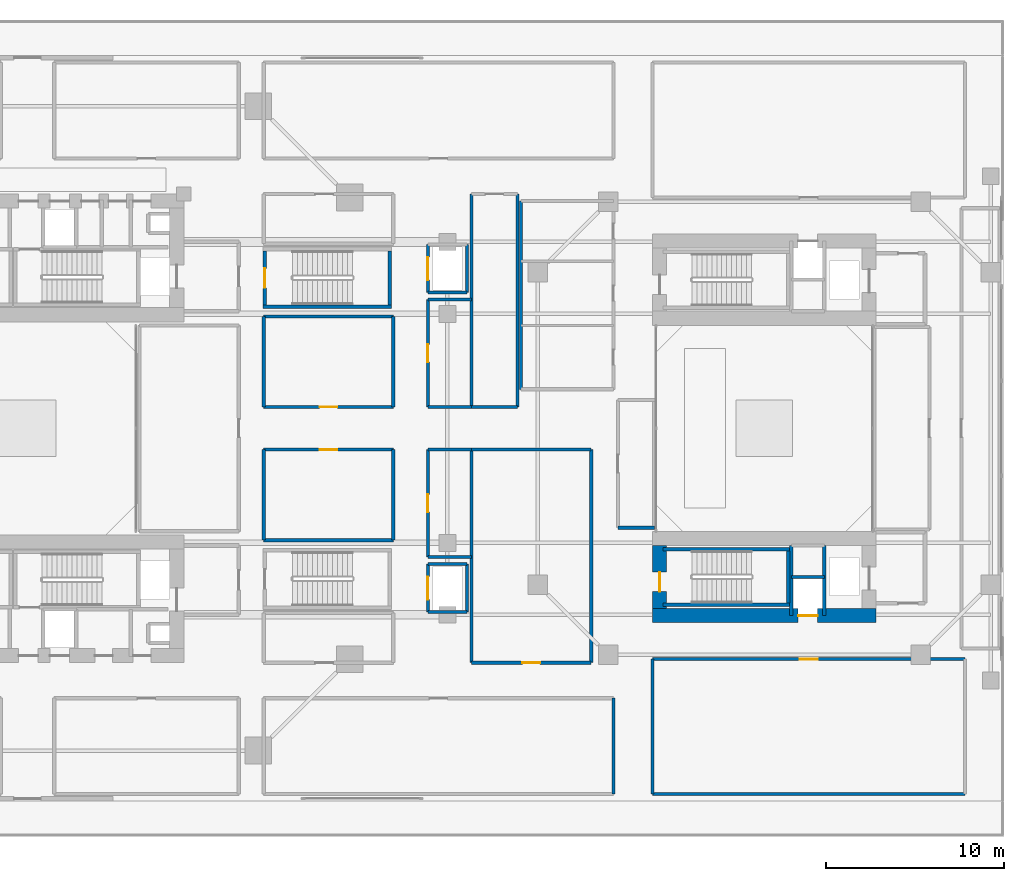
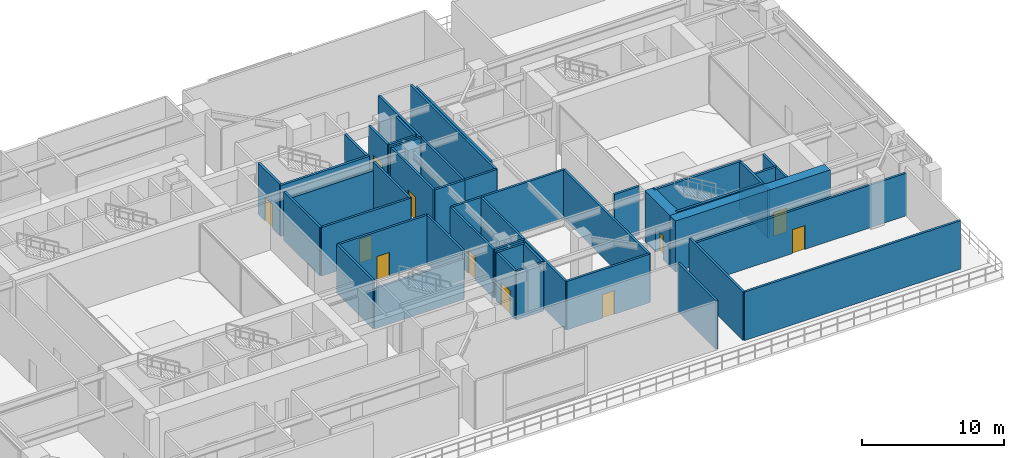
# One storey, part 12 of 19: 45 walls, 11 doors, 11 openings.
"""IFC4 building model written with IfcOpenShell, lengths in metres."""

from ifc_helpers import new_model, si_unit, direction, frame, frame_2d, origin, place, context, subcontext, project, spatial, rectangle, extrude, source, transform, mapped, material, layer, layer_set, type_object, element, fill, save


model = new_model("IFC4")

# Units and contexts
model_context = context("Model", 3, precision=1e-05, world=origin(), true_north=direction((0.0, 1.0)))
body_context = subcontext(model_context, "Body", "Model", "MODEL_VIEW")
ifc_project = project(units=[si_unit("LENGTHUNIT", "METRE"), si_unit("AREAUNIT", "SQUARE_METRE"), si_unit("VOLUMEUNIT", "CUBIC_METRE"), si_unit("PLANEANGLEUNIT", "RADIAN"), si_unit("MASSUNIT", "GRAM", prefix="KILO"), si_unit("THERMODYNAMICTEMPERATUREUNIT", "KELVIN"), si_unit("POWERUNIT", "WATT")], contexts=[model_context])

# Site, building, storey
site_placement = place(None, origin())
site = spatial("IfcSite", under=ifc_project, at=site_placement, CompositionType="ELEMENT")
building_placement = place(site_placement, origin())
building = spatial("IfcBuilding", under=site, at=building_placement, Name="Qiaomeng Ring Towers", CompositionType="ELEMENT")
storey_placement = place(building_placement, frame((0.0, 0.0, 5.0)))
storey = spatial("IfcBuildingStorey", under=building, at=storey_placement, Name="L01", CompositionType="ELEMENT", Elevation=5.0)

# Wall
ifc_material_1 = material(Name="Autoclaved aerated concrete block", Category="concrete")
ifc_layer_1 = layer(ifc_material_1, 0.179931640625, Name="Autoclaved aerated concrete block")
ifc_layer_set_1 = layer_set([ifc_layer_1], Name="Autoclaved aerated concrete block")
wall_type_1 = type_object("IfcWallType", Name="ARC-WL-PW2", PredefinedType="PARTITIONING", material=ifc_layer_set_1)
wall_1_placement = place(storey_placement, frame((46.800048828125, 25.199951171875, 0.0), z_axis=(0.0, 0.0, 1.0), x_axis=(0.0, 1.0, 0.0)))
element("IfcWall", 1, at=wall_1_placement, inside=storey, type_object=wall_type_1, Name="L01 Interior Wall PW2", PredefinedType="PARTITIONING", context=body_context, shape_type="SweptSolid", body=[
    extrude(rectangle(XDim=10.60009765625, YDim=0.179931640625, at=frame_2d((5.300048828125, 0.0))), origin(), (0.0, 0.0, 1.0), 4.179931640625),
])

# Wall, opening, door
wall_2_placement = place(storey_placement, frame((32.300048828125, 24.199951171875, 0.0), z_axis=(0.0, 0.0, 1.0), x_axis=(1.0, 0.0, 0.0)))
wall_2 = element("IfcWall", 2, at=wall_2_placement, inside=storey, type_object=wall_type_1, Name="L01 Interior Wall PW2", PredefinedType="PARTITIONING", context=body_context, shape_type="SweptSolid", body=[
    extrude(rectangle(XDim=7.300048828125, YDim=0.179931640625, at=frame_2d((3.64990234375, 0.0))), origin(), (0.0, 0.0, 1.0), 4.179931640625),
])
opening_1_placement = place(wall_2_placement, frame((3.14990234375, 0.0, 0.0)))
opening_1 = element("IfcOpeningElement", 3, at=opening_1_placement, cuts=wall_2, Name="Opening FD4", PredefinedType="OPENING", context=body_context, shape_type="SweptSolid", body=[
    extrude(rectangle(XDim=1.0, YDim=2.050048828125, at=frame_2d((0.5, 1.02490234375))), frame((0.0, 0.099853515625, 0.0), z_axis=(0.0, -1.0, 0.0), x_axis=(1.0, 0.0, 0.0)), (0.0, 0.0, 1.0), 0.199951171875),
])
ifc_material_2 = material(Name="Engineered fire-rated oak timber", Category="wood")
door_type_1 = type_object("IfcDoorType", Name="ARC-DR-FD4", OperationType="NOTDEFINED", PredefinedType="DOOR", material=ifc_material_2)
shared_shape_1 = source(origin(), body_context, "Body", "SweptSolid", [
    extrude(rectangle(XDim=1.0, YDim=2.050048828125, at=frame_2d((0.5, 1.02490234375))), frame((0.0, 0.02490234375, 0.0), z_axis=(0.0, -1.0, 0.0), x_axis=(1.0, 0.0, 0.0)), (0.0, 0.0, 1.0), 0.050048828125),
])
door_1_placement = place(opening_1_placement, origin())
door_1 = element("IfcDoor", 4, at=door_1_placement, inside=storey, type_object=door_type_1, Name="L01 L01 Ultrasound Diagnostic Suite Door", OperationType="SINGLE_SWING_LEFT", OverallHeight=2.050048828125, OverallWidth=1.0, PredefinedType="DOOR", context=body_context, shape_type="MappedRepresentation", body=[
    mapped(shared_shape_1, transform((0.0, 0.0, 0.0), x_axis=(1.0, 0.0, 0.0), y_axis=(0.0, 1.0, 0.0), z_axis=(0.0, 0.0, 1.0), scale=1.0)),
])
fill(opening_1, door_1)

# Walls
wall_3_placement = place(storey_placement, frame((32.300048828125, 29.300048828125, 0.0), z_axis=(0.0, 0.0, 1.0), x_axis=(1.0, 0.0, 0.0)))
element("IfcWall", 5, at=wall_3_placement, inside=storey, type_object=wall_type_1, Name="L01 Interior Wall PW2", PredefinedType="PARTITIONING", context=body_context, shape_type="SweptSolid", body=[
    extrude(rectangle(XDim=7.300048828125, YDim=0.179931640625, at=frame_2d((3.64990234375, 0.0))), origin(), (0.0, 0.0, 1.0), 3.47509765625),
])
for number, where, z_axis, x_axis, name in (
    (6, (32.300048828125, 24.199951171875, 0.0), (0.0, 0.0, 1.0), (0.0, 1.0, 0.0), "L01 Interior Wall PW2"),
    (7, (39.60009765625, 24.199951171875, 0.0), (0.0, 0.0, 1.0), (0.0, 1.0, 0.0), "L01 Interior Wall PW2"),
):
    element("IfcWall", number, at=place(storey_placement, frame(where, z_axis=z_axis, x_axis=x_axis)), inside=storey, type_object=wall_type_1, Name=name, PredefinedType="PARTITIONING", context=body_context, shape_type="SweptSolid", body=[
        extrude(rectangle(XDim=5.10009765625, YDim=0.179931640625, at=frame_2d((2.550048828125, 0.0))), origin(), (0.0, 0.0, 1.0), 4.179931640625),
    ])
wall_4_placement = place(storey_placement, frame((32.300048828125, 16.699951171875, 0.0), z_axis=(0.0, 0.0, 1.0), x_axis=(1.0, 0.0, 0.0)))
element("IfcWall", 8, at=wall_4_placement, inside=storey, type_object=wall_type_1, Name="L01 Interior Wall PW2", PredefinedType="PARTITIONING", context=body_context, shape_type="SweptSolid", body=[
    extrude(rectangle(XDim=7.300048828125, YDim=0.179931640625, at=frame_2d((3.64990234375, 0.0))), origin(), (0.0, 0.0, 1.0), 3.47509765625),
])

# Wall, opening, door
wall_5_placement = place(storey_placement, frame((32.300048828125, 21.800048828125, 0.0), z_axis=(0.0, 0.0, 1.0), x_axis=(1.0, 0.0, 0.0)))
wall_5 = element("IfcWall", 9, at=wall_5_placement, inside=storey, type_object=wall_type_1, Name="L01 Interior Wall PW2", PredefinedType="PARTITIONING", context=body_context, shape_type="SweptSolid", body=[
    extrude(rectangle(XDim=7.300048828125, YDim=0.179931640625, at=frame_2d((3.64990234375, 0.0))), origin(), (0.0, 0.0, 1.0), 4.179931640625),
])
opening_2_placement = place(wall_5_placement, frame((3.14990234375, 0.0, 0.0)))
opening_2 = element("IfcOpeningElement", 10, at=opening_2_placement, cuts=wall_5, Name="Opening FD4", PredefinedType="OPENING", context=body_context, shape_type="SweptSolid", body=[
    extrude(rectangle(XDim=1.0, YDim=2.050048828125, at=frame_2d((0.5, 1.02490234375))), frame((0.0, 0.099853515625, 0.0), z_axis=(0.0, -1.0, 0.0), x_axis=(1.0, 0.0, 0.0)), (0.0, 0.0, 1.0), 0.199951171875),
])
door_2_placement = place(opening_2_placement, origin())
door_2 = element("IfcDoor", 11, at=door_2_placement, inside=storey, type_object=door_type_1, Name="L01 L01 Clinical Pathology Laboratory Door", OperationType="SINGLE_SWING_LEFT", OverallHeight=2.050048828125, OverallWidth=1.0, PredefinedType="DOOR", context=body_context, shape_type="MappedRepresentation", body=[
    mapped(shared_shape_1, transform((0.0, 0.0, 0.0), x_axis=(1.0, 0.0, 0.0), y_axis=(0.0, 1.0, 0.0), z_axis=(0.0, 0.0, 1.0), scale=1.0)),
])
fill(opening_2, door_2)

# Walls
for number, where, z_axis, x_axis, name in (
    (12, (32.300048828125, 16.699951171875, 0.0), (0.0, 0.0, 1.0), (0.0, 1.0, 0.0), "L01 Interior Wall PW2"),
    (13, (39.60009765625, 16.699951171875, 0.0), (0.0, 0.0, 1.0), (0.0, 1.0, 0.0), "L01 Interior Wall PW2"),
):
    element("IfcWall", number, at=place(storey_placement, frame(where, z_axis=z_axis, x_axis=x_axis)), inside=storey, type_object=wall_type_1, Name=name, PredefinedType="PARTITIONING", context=body_context, shape_type="SweptSolid", body=[
        extrude(rectangle(XDim=5.10009765625, YDim=0.179931640625, at=frame_2d((2.550048828125, 0.0))), origin(), (0.0, 0.0, 1.0), 4.179931640625),
    ])

# Wall, opening, door
wall_6_placement = place(storey_placement, frame((44.0, 9.800048828125, 0.0), z_axis=(0.0, 0.0, 1.0), x_axis=(1.0, 0.0, 0.0)))
wall_6 = element("IfcWall", 14, at=wall_6_placement, inside=storey, type_object=wall_type_1, Name="L01 Interior Wall PW2", PredefinedType="PARTITIONING", context=body_context, shape_type="SweptSolid", body=[
    extrude(rectangle(XDim=6.75, YDim=0.179931640625, at=frame_2d((3.375, 0.0))), origin(), (0.0, 0.0, 1.0), 4.179931640625),
])
opening_3_placement = place(wall_6_placement, frame((2.875, 0.0, 0.0)))
opening_3 = element("IfcOpeningElement", 15, at=opening_3_placement, cuts=wall_6, Name="Opening FD4", PredefinedType="OPENING", context=body_context, shape_type="SweptSolid", body=[
    extrude(rectangle(XDim=1.0, YDim=2.050048828125, at=frame_2d((0.5, 1.02490234375))), frame((0.0, 0.099853515625, 0.0), z_axis=(0.0, -1.0, 0.0), x_axis=(1.0, 0.0, 0.0)), (0.0, 0.0, 1.0), 0.199951171875),
])
door_3_placement = place(opening_3_placement, origin())
door_3 = element("IfcDoor", 16, at=door_3_placement, inside=storey, type_object=door_type_1, Name="L01 L01 Maternal Child Health Clinic Door", OperationType="SINGLE_SWING_LEFT", OverallHeight=2.050048828125, OverallWidth=1.0, PredefinedType="DOOR", context=body_context, shape_type="MappedRepresentation", body=[
    mapped(shared_shape_1, transform((0.0, 0.0, 0.0), x_axis=(1.0, 0.0, 0.0), y_axis=(0.0, 1.0, 0.0), z_axis=(0.0, 0.0, 1.0), scale=1.0)),
])
fill(opening_3, door_3)

# Walls
wall_7_placement = place(storey_placement, frame((44.0, 21.800048828125, 0.0), z_axis=(0.0, 0.0, 1.0), x_axis=(1.0, 0.0, 0.0)))
element("IfcWall", 17, at=wall_7_placement, inside=storey, type_object=wall_type_1, Name="L01 Interior Wall PW2", PredefinedType="PARTITIONING", context=body_context, shape_type="SweptSolid", body=[
    extrude(rectangle(XDim=6.75, YDim=0.179931640625, at=frame_2d((3.375, 0.0))), origin(), (0.0, 0.0, 1.0), 4.179931640625),
])
for number, where, z_axis, x_axis, name in (
    (18, (44.0, 9.800048828125, 0.0), (0.0, 0.0, 1.0), (0.0, 1.0, 0.0), "L01 Interior Wall PW2"),
    (19, (50.75, 9.800048828125, 0.0), (0.0, 0.0, 1.0), (0.0, 1.0, 0.0), "L01 Interior Wall PW2"),
):
    element("IfcWall", number, at=place(storey_placement, frame(where, z_axis=z_axis, x_axis=x_axis)), inside=storey, type_object=wall_type_1, Name=name, PredefinedType="PARTITIONING", context=body_context, shape_type="SweptSolid", body=[
        extrude(rectangle(XDim=12.0, YDim=0.179931640625, at=frame_2d((6.0, 0.0))), origin(), (0.0, 0.0, 1.0), 4.179931640625),
    ])
wall_8_placement = place(storey_placement, frame((44.0, 24.199951171875, 0.0), z_axis=(0.0, 0.0, 1.0), x_axis=(1.0, 0.0, 0.0)))
element("IfcWall", 20, at=wall_8_placement, inside=storey, type_object=wall_type_1, Name="L01 Interior Wall PW2", PredefinedType="PARTITIONING", context=body_context, shape_type="SweptSolid", body=[
    extrude(rectangle(XDim=2.60009765625, YDim=0.179931640625, at=frame_2d((1.300048828125, 0.0))), origin(), (0.0, 0.0, 1.0), 4.179931640625),
])
for number, where, z_axis, x_axis, name in (
    (21, (44.0, 24.199951171875, 0.0), (0.0, 0.0, 1.0), (0.0, 1.0, 0.0), "L01 Interior Wall PW2"),
    (22, (46.60009765625, 24.199951171875, 0.0), (0.0, 0.0, 1.0), (0.0, 1.0, 0.0), "L01 Interior Wall PW2"),
):
    element("IfcWall", number, at=place(storey_placement, frame(where, z_axis=z_axis, x_axis=x_axis)), inside=storey, type_object=wall_type_1, Name=name, PredefinedType="PARTITIONING", context=body_context, shape_type="SweptSolid", body=[
        extrude(rectangle(XDim=12.0, YDim=0.179931640625, at=frame_2d((6.0, 0.0))), origin(), (0.0, 0.0, 1.0), 4.179931640625),
    ])
for number, where, z_axis, x_axis, name in (
    (23, (41.550048828125, 24.199951171875, 0.0), (0.0, 0.0, 1.0), (1.0, 0.0, 0.0), "L01 Interior Wall PW2"),
    (24, (41.550048828125, 30.25, 0.0), (0.0, 0.0, 1.0), (1.0, 0.0, 0.0), "L01 Interior Wall PW2"),
):
    element("IfcWall", number, at=place(storey_placement, frame(where, z_axis=z_axis, x_axis=x_axis)), inside=storey, type_object=wall_type_1, Name=name, PredefinedType="PARTITIONING", context=body_context, shape_type="SweptSolid", body=[
        extrude(rectangle(XDim=2.449951171875, YDim=0.179931640625, at=frame_2d((1.22509765625, 0.0))), origin(), (0.0, 0.0, 1.0), 4.179931640625),
    ])

# Wall, opening, door
wall_9_placement = place(storey_placement, frame((41.550048828125, 24.199951171875, 0.0), z_axis=(0.0, 0.0, 1.0), x_axis=(0.0, 1.0, 0.0)))
wall_9 = element("IfcWall", 25, at=wall_9_placement, inside=storey, type_object=wall_type_1, Name="L01 Interior Wall PW2", PredefinedType="PARTITIONING", context=body_context, shape_type="SweptSolid", body=[
    extrude(rectangle(XDim=6.050048828125, YDim=0.179931640625, at=frame_2d((3.02490234375, 0.0))), origin(), (0.0, 0.0, 1.0), 4.179931640625),
])
opening_4_placement = place(wall_9_placement, frame((2.52490234375, 0.0, 0.0)))
opening_4 = element("IfcOpeningElement", 26, at=opening_4_placement, cuts=wall_9, Name="Opening FD4", PredefinedType="OPENING", context=body_context, shape_type="SweptSolid", body=[
    extrude(rectangle(XDim=1.0, YDim=2.050048828125, at=frame_2d((0.5, 1.02490234375))), frame((0.0, 0.099853515625, 0.0), z_axis=(0.0, -1.0, 0.0), x_axis=(1.0, 0.0, 0.0)), (0.0, 0.0, 1.0), 0.199951171875),
])
door_4_placement = place(opening_4_placement, origin())
door_4 = element("IfcDoor", 27, at=door_4_placement, inside=storey, type_object=door_type_1, Name="L01 L01 Health Informatics Office Door", OperationType="SINGLE_SWING_LEFT", OverallHeight=2.050048828125, OverallWidth=1.0, PredefinedType="DOOR", context=body_context, shape_type="MappedRepresentation", body=[
    mapped(shared_shape_1, transform((0.0, 0.0, 0.0), x_axis=(1.0, 0.0, 0.0), y_axis=(0.0, 1.0, 0.0), z_axis=(0.0, 0.0, 1.0), scale=1.0)),
])
fill(opening_4, door_4)

# Walls
for number, where, z_axis, x_axis, name in (
    (28, (41.550048828125, 15.75, 0.0), (0.0, 0.0, 1.0), (1.0, 0.0, 0.0), "L01 Interior Wall PW2"),
    (29, (41.550048828125, 21.800048828125, 0.0), (0.0, 0.0, 1.0), (1.0, 0.0, 0.0), "L01 Interior Wall PW2"),
):
    element("IfcWall", number, at=place(storey_placement, frame(where, z_axis=z_axis, x_axis=x_axis)), inside=storey, type_object=wall_type_1, Name=name, PredefinedType="PARTITIONING", context=body_context, shape_type="SweptSolid", body=[
        extrude(rectangle(XDim=2.449951171875, YDim=0.179931640625, at=frame_2d((1.22509765625, 0.0))), origin(), (0.0, 0.0, 1.0), 4.179931640625),
    ])

# Wall, opening, door
wall_10_placement = place(storey_placement, frame((41.550048828125, 15.75, 0.0), z_axis=(0.0, 0.0, 1.0), x_axis=(0.0, 1.0, 0.0)))
wall_10 = element("IfcWall", 30, at=wall_10_placement, inside=storey, type_object=wall_type_1, Name="L01 Interior Wall PW2", PredefinedType="PARTITIONING", context=body_context, shape_type="SweptSolid", body=[
    extrude(rectangle(XDim=6.050048828125, YDim=0.179931640625, at=frame_2d((3.02490234375, 0.0))), origin(), (0.0, 0.0, 1.0), 4.179931640625),
])
opening_5_placement = place(wall_10_placement, frame((2.52490234375, 0.0, 0.0)))
opening_5 = element("IfcOpeningElement", 31, at=opening_5_placement, cuts=wall_10, Name="Opening FD4", PredefinedType="OPENING", context=body_context, shape_type="SweptSolid", body=[
    extrude(rectangle(XDim=1.0, YDim=2.050048828125, at=frame_2d((0.5, 1.02490234375))), frame((0.0, 0.099853515625, 0.0), z_axis=(0.0, -1.0, 0.0), x_axis=(1.0, 0.0, 0.0)), (0.0, 0.0, 1.0), 0.199951171875),
])
door_5_placement = place(opening_5_placement, origin())
door_5 = element("IfcDoor", 32, at=door_5_placement, inside=storey, type_object=door_type_1, Name="L01 L01 Preventive Rehabilitation Suite Door", OperationType="SINGLE_SWING_RIGHT", OverallHeight=2.050048828125, OverallWidth=1.0, PredefinedType="DOOR", context=body_context, shape_type="MappedRepresentation", body=[
    mapped(shared_shape_1, transform((0.0, 0.0, 0.0), x_axis=(1.0, 0.0, 0.0), y_axis=(0.0, 1.0, 0.0), z_axis=(0.0, 0.0, 1.0), scale=1.0)),
])
fill(opening_5, door_5)

# Walls
wall_11_placement = place(storey_placement, frame((52.25, 17.39990234375, 0.0), z_axis=(0.0, 0.0, 1.0), x_axis=(1.0, 0.0, 0.0)))
element("IfcWall", 33, at=wall_11_placement, inside=storey, type_object=wall_type_1, Name="L01 Interior Wall PW2", PredefinedType="PARTITIONING", context=body_context, shape_type="SweptSolid", body=[
    extrude(rectangle(XDim=2.050048828125, YDim=0.179931640625, at=frame_2d((1.02490234375, 0.0))), origin(), (0.0, 0.0, 1.0), 4.179931640625),
])
wall_12_placement = place(storey_placement, frame((52.0, 2.39990234375, 0.0), z_axis=(0.0, 0.0, 1.0), x_axis=(0.0, 1.0, 0.0)))
element("IfcWall", 34, at=wall_12_placement, inside=storey, type_object=wall_type_1, Name="L01 Interior Wall PW2", PredefinedType="PARTITIONING", context=body_context, shape_type="SweptSolid", body=[
    extrude(rectangle(XDim=5.400146484375, YDim=0.179931640625, at=frame_2d((2.7001953125, 0.0))), origin(), (0.0, 0.0, 1.0), 4.179931640625),
])
wall_13_placement = place(storey_placement, frame((54.199951171875, 2.39990234375, 0.0), z_axis=(0.0, 0.0, 1.0), x_axis=(1.0, 0.0, 0.0)))
element("IfcWall", 35, at=wall_13_placement, inside=storey, type_object=wall_type_1, Name="L01 Interior Wall PW2", PredefinedType="PARTITIONING", context=body_context, shape_type="SweptSolid", body=[
    extrude(rectangle(XDim=17.60009765625, YDim=0.179931640625, at=frame_2d((8.800048828125, 0.0))), origin(), (0.0, 0.0, 1.0), 4.179931640625),
])

# Wall, opening, door
wall_14_placement = place(storey_placement, frame((54.199951171875, 10.0, 0.0), z_axis=(0.0, 0.0, 1.0), x_axis=(1.0, 0.0, 0.0)))
wall_14 = element("IfcWall", 36, at=wall_14_placement, inside=storey, type_object=wall_type_1, Name="L01 Interior Wall PW2", PredefinedType="PARTITIONING", context=body_context, shape_type="SweptSolid", body=[
    extrude(rectangle(XDim=17.60009765625, YDim=0.179931640625, at=frame_2d((8.800048828125, 0.0))), origin(), (0.0, 0.0, 1.0), 3.675048828125),
])
opening_6_placement = place(wall_14_placement, frame((8.300048828125, 0.0, 0.0)))
opening_6 = element("IfcOpeningElement", 37, at=opening_6_placement, cuts=wall_14, Name="Opening FD4", PredefinedType="OPENING", context=body_context, shape_type="SweptSolid", body=[
    extrude(rectangle(XDim=1.0, YDim=2.050048828125, at=frame_2d((0.5, 1.02490234375))), frame((0.0, 0.099853515625, 0.0), z_axis=(0.0, -1.0, 0.0), x_axis=(1.0, 0.0, 0.0)), (0.0, 0.0, 1.0), 0.199951171875),
])
door_6_placement = place(opening_6_placement, origin())
door_6 = element("IfcDoor", 38, at=door_6_placement, inside=storey, type_object=door_type_1, Name="L01 L01 Wellness Reading Lounge Door", OperationType="SINGLE_SWING_RIGHT", OverallHeight=2.050048828125, OverallWidth=1.0, PredefinedType="DOOR", context=body_context, shape_type="MappedRepresentation", body=[
    mapped(shared_shape_1, transform((0.0, 0.0, 0.0), x_axis=(1.0, 0.0, 0.0), y_axis=(0.0, 1.0, 0.0), z_axis=(0.0, 0.0, 1.0), scale=1.0)),
])
fill(opening_6, door_6)

# Walls
wall_15_placement = place(storey_placement, frame((54.199951171875, 2.39990234375, 0.0), z_axis=(0.0, 0.0, 1.0), x_axis=(0.0, 1.0, 0.0)))
element("IfcWall", 39, at=wall_15_placement, inside=storey, type_object=wall_type_1, Name="L01 Interior Wall PW2", PredefinedType="PARTITIONING", context=body_context, shape_type="SweptSolid", body=[
    extrude(rectangle(XDim=7.60009765625, YDim=0.179931640625, at=frame_2d((3.800048828125, 0.0))), origin(), (0.0, 0.0, 1.0), 4.179931640625),
])
ifc_material_3 = material(Name="Concrete C40", Category="concrete")
ifc_layer_2 = layer(ifc_material_3, 0.199951171875, Name="Concrete C40")
ifc_layer_set_2 = layer_set([ifc_layer_2], Name="Concrete C40")
wall_type_2 = type_object("IfcWallType", Name="STR-WL-STSHAFT", PredefinedType="SHEAR", material=ifc_layer_set_2)
for number, where, z_axis, x_axis, name in (
    (40, (62.02001953125, 12.449951171875, 0.0), (0.0, 0.0, 1.0), (0.0, 1.0, 0.0), "L01 Companion Lift Shaft West Wall S"),
    (41, (63.8798828125, 12.449951171875, 0.0), (0.0, 0.0, 1.0), (0.0, 1.0, 0.0), "L01 Companion Lift Shaft East Wall S"),
):
    element("IfcWall", number, at=place(storey_placement, frame(where, z_axis=z_axis, x_axis=x_axis)), inside=storey, type_object=wall_type_2, Name=name, PredefinedType="SHEAR", context=body_context, shape_type="SweptSolid", body=[
        extrude(rectangle(XDim=3.949951171875, YDim=0.179931640625, at=frame_2d((1.97509765625, 0.0))), origin(), (0.0, 0.0, 1.0), 4.179931640625),
    ])
wall_16_placement = place(storey_placement, frame((62.02001953125, 14.6201171875, 0.0), z_axis=(0.0, 0.0, 1.0), x_axis=(1.0, 0.0, 0.0)))
element("IfcWall", 42, at=wall_16_placement, inside=storey, type_object=wall_type_2, Name="L01 Companion Lift Shaft Divider Wall S", PredefinedType="SHEAR", context=body_context, shape_type="SweptSolid", body=[
    extrude(rectangle(XDim=1.85986328125, YDim=0.179931640625, at=frame_2d((0.929931640625, 0.0))), origin(), (0.0, 0.0, 1.0), 4.179931640625),
])

# Wall, opening, door
wall_17_placement = place(storey_placement, frame((41.550048828125, 30.64990234375, 0.0), z_axis=(0.0, 0.0, 1.0), x_axis=(0.0, 1.0, 0.0)))
wall_17 = element("IfcWall", 43, at=wall_17_placement, inside=storey, type_object=wall_type_2, Name="L01 Medical Lift LP9 West Shaft Wall", PredefinedType="SHEAR", context=body_context, shape_type="SweptSolid", body=[
    extrude(rectangle(XDim=2.7001953125, YDim=0.179931640625, at=frame_2d((1.35009765625, 0.0))), origin(), (0.0, 0.0, 1.0), 4.179931640625),
])
opening_7_placement = place(wall_17_placement, frame((0.699951171875, 0.0, 0.0)))
opening_7 = element("IfcOpeningElement", 44, at=opening_7_placement, cuts=wall_17, Name="Opening LD2", PredefinedType="OPENING", context=body_context, shape_type="SweptSolid", body=[
    extrude(rectangle(XDim=1.300048828125, YDim=2.050048828125, at=frame_2d((0.64990234375, 1.02490234375))), frame((0.0, 0.099853515625, 0.0), z_axis=(0.0, -1.0, 0.0), x_axis=(1.0, 0.0, 0.0)), (0.0, 0.0, 1.0), 0.199951171875),
])
ifc_material_4 = material(Name="Stainless steel 316", Category="steel")
door_type_2 = type_object("IfcDoorType", Name="ARC-DR-LD2", OperationType="NOTDEFINED", PredefinedType="DOOR", material=ifc_material_4)
shared_shape_2 = source(origin(), body_context, "Body", "SweptSolid", [
    extrude(rectangle(XDim=1.300048828125, YDim=2.050048828125, at=frame_2d((0.64990234375, 1.02490234375))), frame((0.0, 0.02490234375, 0.0), z_axis=(0.0, -1.0, 0.0), x_axis=(1.0, 0.0, 0.0)), (0.0, 0.0, 1.0), 0.050048828125),
])
door_7_placement = place(opening_7_placement, origin())
door_7 = element("IfcDoor", 45, at=door_7_placement, inside=storey, type_object=door_type_2, Name="L01 Medical Lift LP9 Landing Door", OperationType="SLIDING_TO_LEFT", OverallHeight=2.050048828125, OverallWidth=1.300048828125, PredefinedType="DOOR", context=body_context, shape_type="MappedRepresentation", body=[
    mapped(shared_shape_2, transform((0.0, 0.0, 0.0), x_axis=(1.0, 0.0, 0.0), y_axis=(0.0, 1.0, 0.0), z_axis=(0.0, 0.0, 1.0), scale=1.0)),
])
fill(opening_7, door_7)

# Walls
wall_18_placement = place(storey_placement, frame((43.75, 30.64990234375, 0.0), z_axis=(0.0, 0.0, 1.0), x_axis=(0.0, 1.0, 0.0)))
element("IfcWall", 46, at=wall_18_placement, inside=storey, type_object=wall_type_2, Name="L01 Medical Lift LP9 East Shaft Wall", PredefinedType="SHEAR", context=body_context, shape_type="SweptSolid", body=[
    extrude(rectangle(XDim=2.7001953125, YDim=0.179931640625, at=frame_2d((1.35009765625, 0.0))), origin(), (0.0, 0.0, 1.0), 4.179931640625),
])
wall_19_placement = place(storey_placement, frame((41.550048828125, 30.64990234375, 0.0), z_axis=(0.0, 0.0, 1.0), x_axis=(1.0, 0.0, 0.0)))
element("IfcWall", 47, at=wall_19_placement, inside=storey, type_object=wall_type_2, Name="L01 Medical Lift LP9 South Shaft Wall", PredefinedType="SHEAR", context=body_context, shape_type="SweptSolid", body=[
    extrude(rectangle(XDim=2.199951171875, YDim=0.179931640625, at=frame_2d((1.10009765625, 0.0))), origin(), (0.0, 0.0, 1.0), 4.179931640625),
])

# Wall, opening, door
wall_20_placement = place(storey_placement, frame((41.550048828125, 12.64990234375, 0.0), z_axis=(0.0, 0.0, 1.0), x_axis=(0.0, 1.0, 0.0)))
wall_20 = element("IfcWall", 48, at=wall_20_placement, inside=storey, type_object=wall_type_2, Name="L01 Medical Lift LP10 West Shaft Wall", PredefinedType="SHEAR", context=body_context, shape_type="SweptSolid", body=[
    extrude(rectangle(XDim=2.7001953125, YDim=0.179931640625, at=frame_2d((1.35009765625, 0.0))), origin(), (0.0, 0.0, 1.0), 4.179931640625),
])
opening_8_placement = place(wall_20_placement, frame((0.699951171875, 0.0, 0.0)))
opening_8 = element("IfcOpeningElement", 49, at=opening_8_placement, cuts=wall_20, Name="Opening LD2", PredefinedType="OPENING", context=body_context, shape_type="SweptSolid", body=[
    extrude(rectangle(XDim=1.300048828125, YDim=2.050048828125, at=frame_2d((0.64990234375, 1.02490234375))), frame((0.0, 0.099853515625, 0.0), z_axis=(0.0, -1.0, 0.0), x_axis=(1.0, 0.0, 0.0)), (0.0, 0.0, 1.0), 0.199951171875),
])
door_8_placement = place(opening_8_placement, origin())
door_8 = element("IfcDoor", 50, at=door_8_placement, inside=storey, type_object=door_type_2, Name="L01 Medical Lift LP10 Landing Door", OperationType="SLIDING_TO_LEFT", OverallHeight=2.050048828125, OverallWidth=1.300048828125, PredefinedType="DOOR", context=body_context, shape_type="MappedRepresentation", body=[
    mapped(shared_shape_2, transform((0.0, 0.0, 0.0), x_axis=(1.0, 0.0, 0.0), y_axis=(0.0, 1.0, 0.0), z_axis=(0.0, 0.0, 1.0), scale=1.0)),
])
fill(opening_8, door_8)

# Walls
wall_21_placement = place(storey_placement, frame((43.75, 12.64990234375, 0.0), z_axis=(0.0, 0.0, 1.0), x_axis=(0.0, 1.0, 0.0)))
element("IfcWall", 51, at=wall_21_placement, inside=storey, type_object=wall_type_2, Name="L01 Medical Lift LP10 East Shaft Wall", PredefinedType="SHEAR", context=body_context, shape_type="SweptSolid", body=[
    extrude(rectangle(XDim=2.7001953125, YDim=0.179931640625, at=frame_2d((1.35009765625, 0.0))), origin(), (0.0, 0.0, 1.0), 4.179931640625),
])
for number, where, z_axis, x_axis, name in (
    (52, (41.550048828125, 12.64990234375, 0.0), (0.0, 0.0, 1.0), (1.0, 0.0, 0.0), "L01 Medical Lift LP10 South Shaft Wall"),
    (53, (41.550048828125, 15.35009765625, 0.0), (0.0, 0.0, 1.0), (1.0, 0.0, 0.0), "L01 Medical Lift LP10 North Shaft Wall"),
):
    element("IfcWall", number, at=place(storey_placement, frame(where, z_axis=z_axis, x_axis=x_axis)), inside=storey, type_object=wall_type_2, Name=name, PredefinedType="SHEAR", context=body_context, shape_type="SweptSolid", body=[
        extrude(rectangle(XDim=2.199951171875, YDim=0.179931640625, at=frame_2d((1.10009765625, 0.0))), origin(), (0.0, 0.0, 1.0), 4.179931640625),
    ])
for number, where, z_axis, x_axis, name in (
    (54, (54.800048828125, 13.06005859375, 0.0), (0.0, 0.0, 1.0), (1.0, 0.0, 0.0), "L01 Stair ST6 South Shaft Shear Wall"),
    (55, (54.800048828125, 16.199951171875, 0.0), (0.0, 0.0, 1.0), (1.0, 0.0, 0.0), "L01 Stair ST6 North Shaft Shear Wall"),
):
    element("IfcWall", number, at=place(storey_placement, frame(where, z_axis=z_axis, x_axis=x_axis)), inside=storey, type_object=wall_type_2, Name=name, PredefinedType="SHEAR", context=body_context, shape_type="SweptSolid", body=[
        extrude(rectangle(XDim=7.14990234375, YDim=0.199951171875, at=frame_2d((3.574951171875, 0.0))), origin(), (0.0, 0.0, 1.0), 4.39990234375),
    ])
wall_22_placement = place(storey_placement, frame((61.85009765625, 13.159912109375, 0.0), z_axis=(0.0, 0.0, 1.0), x_axis=(0.0, 1.0, 0.0)))
element("IfcWall", 56, at=wall_22_placement, inside=storey, type_object=wall_type_2, Name="L01 Stair ST6 East Shaft Shear Wall", PredefinedType="SHEAR", context=body_context, shape_type="SweptSolid", body=[
    extrude(rectangle(XDim=2.940185546875, YDim=0.199951171875, at=frame_2d((1.47021484375, 0.0))), origin(), (0.0, 0.0, 1.0), 4.39990234375),
])
wall_23_placement = place(storey_placement, frame((32.25, 29.860107421875, 0.0), z_axis=(0.0, 0.0, 1.0), x_axis=(1.0, 0.0, 0.0)))
element("IfcWall", 57, at=wall_23_placement, inside=storey, type_object=wall_type_2, Name="L01 Stair ST7 South Shaft Shear Wall", PredefinedType="SHEAR", context=body_context, shape_type="SweptSolid", body=[
    extrude(rectangle(XDim=7.25, YDim=0.199951171875, at=frame_2d((3.625, 0.0))), origin(), (0.0, 0.0, 1.0), 4.39990234375),
])

# Wall, opening, door
wall_24_placement = place(storey_placement, frame((32.35009765625, 29.9599609375, 0.0), z_axis=(0.0, 0.0, 1.0), x_axis=(0.0, 1.0, 0.0)))
wall_24 = element("IfcWall", 58, at=wall_24_placement, inside=storey, type_object=wall_type_2, Name="L01 Stair ST7 West Shaft Shear Wall", PredefinedType="SHEAR", context=body_context, shape_type="SweptSolid", body=[
    extrude(rectangle(XDim=3.0400390625, YDim=0.199951171875, at=frame_2d((1.52001953125, 0.0))), origin(), (0.0, 0.0, 1.0), 4.39990234375),
])
opening_9_placement = place(wall_24_placement, frame((0.949951171875, 0.0, 0.0)))
opening_9 = element("IfcOpeningElement", 59, at=opening_9_placement, cuts=wall_24, Name="Opening FD3", PredefinedType="OPENING", context=body_context, shape_type="SweptSolid", body=[
    extrude(rectangle(XDim=1.10009765625, YDim=2.050048828125, at=frame_2d((0.550048828125, 1.02490234375))), frame((0.0, 0.10986328125, 0.0), z_axis=(0.0, -1.0, 0.0), x_axis=(1.0, 0.0, 0.0)), (0.0, 0.0, 1.0), 0.219970703125),
])
ifc_material_5 = material(Name="Galvanised steel", Category="steel")
door_type_3 = type_object("IfcDoorType", Name="ARC-DR-FD3", OperationType="NOTDEFINED", PredefinedType="DOOR", material=ifc_material_5)
shared_shape_3 = source(origin(), body_context, "Body", "SweptSolid", [
    extrude(rectangle(XDim=1.10009765625, YDim=2.050048828125, at=frame_2d((0.550048828125, 1.02490234375))), frame((0.0, 0.02490234375, 0.0), z_axis=(0.0, -1.0, 0.0), x_axis=(1.0, 0.0, 0.0)), (0.0, 0.0, 1.0), 0.050048828125),
])
door_9_placement = place(opening_9_placement, origin())
door_9 = element("IfcDoor", 60, at=door_9_placement, inside=storey, type_object=door_type_3, Name="L01 Podium Stair ST7 Exit Door", OperationType="SINGLE_SWING_LEFT", OverallHeight=2.050048828125, OverallWidth=1.10009765625, PredefinedType="DOOR", context=body_context, shape_type="MappedRepresentation", body=[
    mapped(shared_shape_3, transform((0.0, 0.0, 0.0), x_axis=(1.0, 0.0, 0.0), y_axis=(0.0, 1.0, 0.0), z_axis=(0.0, 0.0, 1.0), scale=1.0)),
])
fill(opening_9, door_9)

# Wall
wall_25_placement = place(storey_placement, frame((39.39990234375, 29.9599609375, 0.0), z_axis=(0.0, 0.0, 1.0), x_axis=(0.0, 1.0, 0.0)))
element("IfcWall", 61, at=wall_25_placement, inside=storey, type_object=wall_type_2, Name="L01 Stair ST7 East Shaft Shear Wall", PredefinedType="SHEAR", context=body_context, shape_type="SweptSolid", body=[
    extrude(rectangle(XDim=3.0400390625, YDim=0.199951171875, at=frame_2d((1.52001953125, 0.0))), origin(), (0.0, 0.0, 1.0), 4.39990234375),
])

# Wall, opening, door
ifc_material_6 = material(Name="Concrete C60", Category="concrete")
ifc_layer_3 = layer(ifc_material_6, 0.800048828125, Name="Concrete C60")
ifc_layer_set_3 = layer_set([ifc_layer_3], Name="Concrete C60")
wall_type_3 = type_object("IfcWallType", Name="STR-WL-SW1", PredefinedType="SHEAR", material=ifc_layer_set_3)
wall_26_placement = place(storey_placement, frame((54.199951171875, 12.449951171875, 0.0), z_axis=(0.0, 0.0, 1.0), x_axis=(1.0, 0.0, 0.0)))
wall_26 = element("IfcWall", 62, at=wall_26_placement, inside=storey, type_object=wall_type_3, Name="L01 T2SC south core shear wall", PredefinedType="SHEAR", context=body_context, shape_type="SweptSolid", body=[
    extrude(rectangle(XDim=12.60009765625, YDim=0.800048828125, at=frame_2d((6.300048828125, 0.0))), origin(), (0.0, 0.0, 1.0), 4.39990234375),
])
opening_10_placement = place(wall_26_placement, frame((8.199951171875, 0.0, 0.0)))
opening_10 = element("IfcOpeningElement", 63, at=opening_10_placement, cuts=wall_26, Name="Opening LD1", PredefinedType="OPENING", context=body_context, shape_type="SweptSolid", body=[
    extrude(rectangle(XDim=1.10009765625, YDim=2.050048828125, at=frame_2d((0.550048828125, 1.02490234375))), frame((0.0, 0.409912109375, 0.0), z_axis=(0.0, -1.0, 0.0), x_axis=(1.0, 0.0, 0.0)), (0.0, 0.0, 1.0), 0.820068359375),
])
door_type_4 = type_object("IfcDoorType", Name="ARC-DR-LD1", OperationType="NOTDEFINED", PredefinedType="DOOR", material=ifc_material_4)
door_10_placement = place(opening_10_placement, origin())
door_10 = element("IfcDoor", 64, at=door_10_placement, inside=storey, type_object=door_type_4, Name="L01 Companion Lift LP8 Landing Door", OperationType="SLIDING_TO_RIGHT", OverallHeight=2.050048828125, OverallWidth=1.10009765625, PredefinedType="DOOR", context=body_context, shape_type="MappedRepresentation", body=[
    mapped(shared_shape_3, transform((0.0, 0.0, 0.0), x_axis=(1.0, 0.0, 0.0), y_axis=(0.0, 1.0, 0.0), z_axis=(0.0, 0.0, 1.0), scale=1.0)),
])
fill(opening_10, door_10)

wall_27_placement = place(storey_placement, frame((54.60009765625, 12.85009765625, 0.0), z_axis=(0.0, 0.0, 1.0), x_axis=(0.0, 1.0, 0.0)))
wall_27 = element("IfcWall", 65, at=wall_27_placement, inside=storey, type_object=wall_type_3, Name="L01 T2SC west core shear wall", PredefinedType="SHEAR", context=body_context, shape_type="SweptSolid", body=[
    extrude(rectangle(XDim=3.5498046875, YDim=0.800048828125, at=frame_2d((1.77490234375, 0.0))), origin(), (0.0, 0.0, 1.0), 4.39990234375),
])
opening_11_placement = place(wall_27_placement, frame((0.949951171875, 0.0, 0.0)))
opening_11 = element("IfcOpeningElement", 66, at=opening_11_placement, cuts=wall_27, Name="Opening FD3", PredefinedType="OPENING", context=body_context, shape_type="SweptSolid", body=[
    extrude(rectangle(XDim=1.10009765625, YDim=2.050048828125, at=frame_2d((0.550048828125, 1.02490234375))), frame((0.0, 0.409912109375, 0.0), z_axis=(0.0, -1.0, 0.0), x_axis=(1.0, 0.0, 0.0)), (0.0, 0.0, 1.0), 0.820068359375),
])
door_11_placement = place(opening_11_placement, origin())
door_11 = element("IfcDoor", 67, at=door_11_placement, inside=storey, type_object=door_type_3, Name="L01 Stair ST6 Exit Door", OperationType="SINGLE_SWING_RIGHT", OverallHeight=2.050048828125, OverallWidth=1.10009765625, PredefinedType="DOOR", context=body_context, shape_type="MappedRepresentation", body=[
    mapped(shared_shape_3, transform((0.0, 0.0, 0.0), x_axis=(1.0, 0.0, 0.0), y_axis=(0.0, 1.0, 0.0), z_axis=(0.0, 0.0, 1.0), scale=1.0)),
])
fill(opening_11, door_11)

save(model, "model.ifc")
